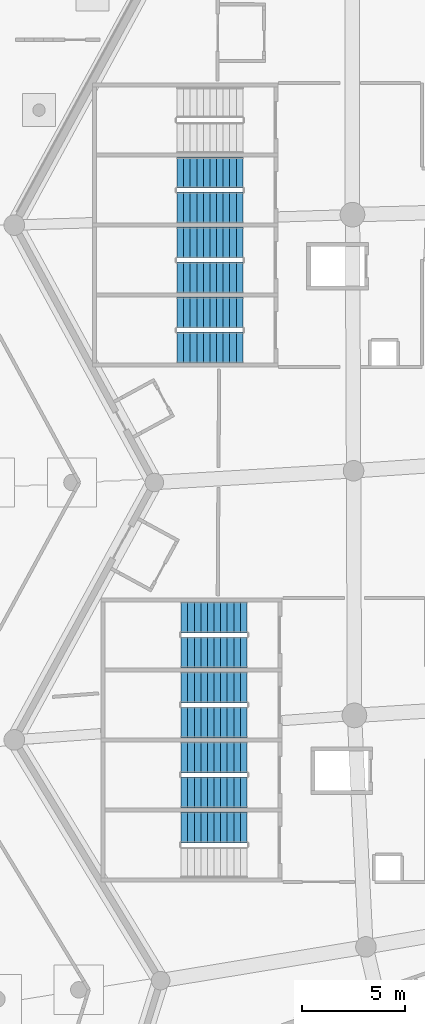
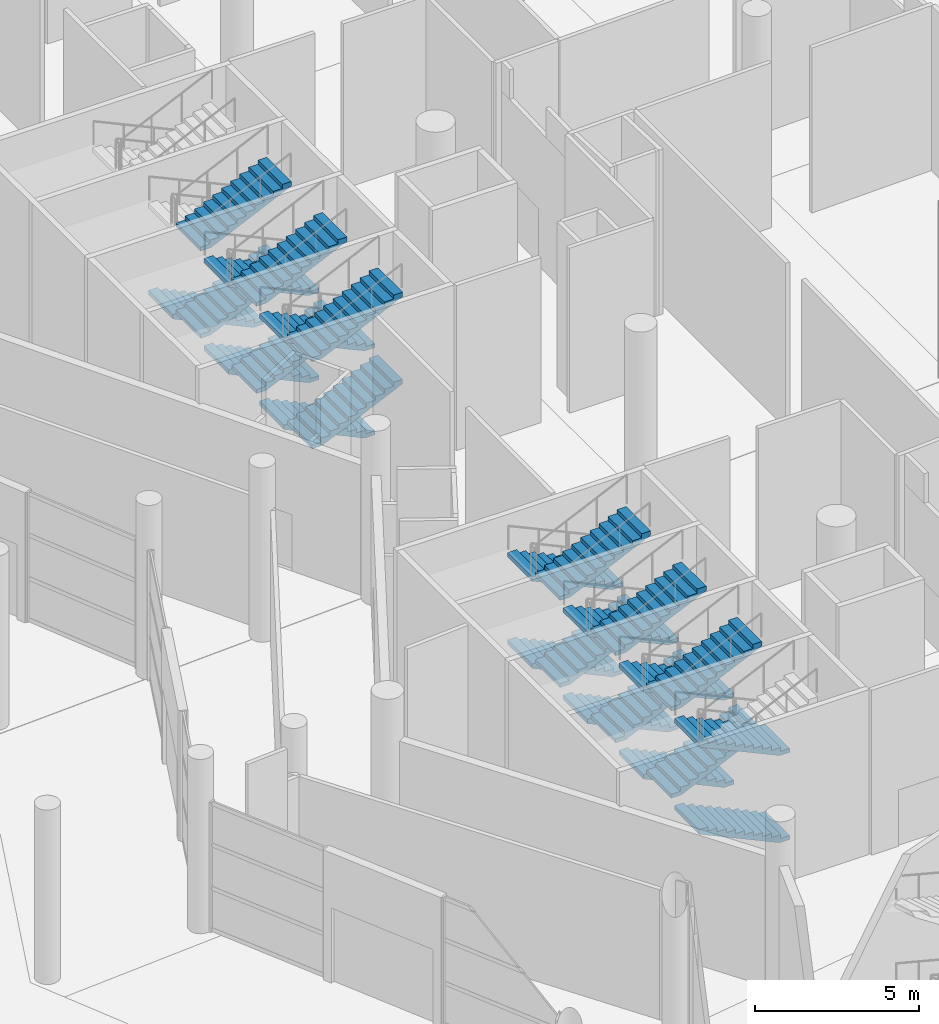
# One storey, part 163 of 255: 25 stair flights, 7 elements without a shape of their own.
"""IFC4 building model written with IfcOpenShell, lengths in metres."""

from ifc_helpers import new_model, si_unit, direction, frame, origin, place, context, subcontext, project, spatial, polyline, outline, extrude, material, type_object, element, aggregate, save


model = new_model("IFC4")

# Units and contexts
model_context = context("Model", 3, precision=1e-05, world=origin(), true_north=direction((0.0, 1.0)))
body_context = subcontext(model_context, "Body", "Model", "MODEL_VIEW")
ifc_project = project(units=[si_unit("LENGTHUNIT", "METRE"), si_unit("AREAUNIT", "SQUARE_METRE"), si_unit("VOLUMEUNIT", "CUBIC_METRE"), si_unit("PLANEANGLEUNIT", "RADIAN"), si_unit("MASSUNIT", "GRAM", prefix="KILO")], contexts=[model_context])

# Site, building, storey
site_placement = place(None, origin())
site = spatial("IfcSite", under=ifc_project, at=site_placement, CompositionType="ELEMENT")
building_placement = place(site_placement, origin())
building = spatial("IfcBuilding", under=site, at=building_placement, Name="Meseta Stadium", CompositionType="ELEMENT")
storey_placement = place(building_placement, origin())
storey = spatial("IfcBuildingStorey", under=building, at=storey_placement, Name="L00", CompositionType="ELEMENT", Elevation=0.0)

# Stair, stair flights
ifc_material_1 = material(Name="Concrete C40/50", Category="concrete")
stair_type = type_object("IfcStairType", Name="Exit stair 4 flights 148 mm risers", PredefinedType="HALF_TURN_STAIR", material=ifc_material_1)
stair_1_placement = place(storey_placement, origin())
stair_1 = element("IfcStair", 1, at=stair_1_placement, inside=storey, type_object=stair_type, Name="ST70 L00", PredefinedType="HALF_TURN_STAIR")
ifc_material_2 = material(Name="Concrete C40/50", Category="concrete")
stair_flight_type = type_object("IfcStairFlightType", Name="Exit stair flight 148 mm risers, 4 per storey", PredefinedType="STRAIGHT", material=ifc_material_2)
stair_flight_1_placement = place(storey_placement, frame((-90.300048828125, -16.199951171875, 0.0), z_axis=(0.0, 0.0, 1.0), x_axis=(-1.0, 0.0, 0.0)))
stair_flight_1 = element("IfcStairFlight", 2, at=stair_flight_1_placement, type_object=stair_flight_type, Name="ST70 L00 flight 1", NumberOfRisers=11, NumberOfTreads=10, PredefinedType="STRAIGHT", RiserHeight=0.147727273, TreadLength=0.32, context=body_context, shape_type="SweptSolid", body=[
    extrude(outline(polyline([(0.0, 0.0), (0.0, 0.147705078125), (0.320068359375, 0.147705078125), (0.320068359375, 0.29541015625), (0.639892578125, 0.29541015625), (0.639892578125, 0.443115234375), (0.9599609375, 0.443115234375), (0.9599609375, 0.5908203125), (1.280029296875, 0.5908203125), (1.280029296875, 0.738525390625), (1.60009765625, 0.738525390625), (1.60009765625, 0.886474609375), (1.919921875, 0.886474609375), (1.919921875, 1.0341796875), (2.239990234375, 1.0341796875), (2.239990234375, 1.181884765625), (2.56005859375, 1.181884765625), (2.56005859375, 1.32958984375), (2.8798828125, 1.32958984375), (2.8798828125, 1.477294921875), (3.199951171875, 1.477294921875), (3.199951171875, 1.312255859375), (0.357666015625, 0.0), (0.0, 0.0)])), frame((0.0, 0.75, 0.0), z_axis=(0.0, -1.0, 0.0), x_axis=(1.0, 0.0, 0.0)), (0.0, 0.0, 1.0), 1.5),
])
stair_flight_2_placement = place(storey_placement, frame((-93.5, -17.89990234375, 1.625), z_axis=(0.0, 0.0, 1.0), x_axis=(1.0, 0.0, 0.0)))
stair_flight_2 = element("IfcStairFlight", 3, at=stair_flight_2_placement, type_object=stair_flight_type, Name="ST70 L00 flight 2", NumberOfRisers=11, NumberOfTreads=10, PredefinedType="STRAIGHT", RiserHeight=0.147727273, TreadLength=0.32, context=body_context, shape_type="SweptSolid", body=[
    extrude(outline(polyline([(0.0, 0.0), (0.0, 0.147705078125), (0.320068359375, 0.147705078125), (0.320068359375, 0.29541015625), (0.639892578125, 0.29541015625), (0.639892578125, 0.443115234375), (0.9599609375, 0.443115234375), (0.9599609375, 0.5908203125), (1.280029296875, 0.5908203125), (1.280029296875, 0.738525390625), (1.60009765625, 0.738525390625), (1.60009765625, 0.886474609375), (1.919921875, 0.886474609375), (1.919921875, 1.0341796875), (2.239990234375, 1.0341796875), (2.239990234375, 1.181884765625), (2.56005859375, 1.181884765625), (2.56005859375, 1.32958984375), (2.8798828125, 1.32958984375), (2.8798828125, 1.477294921875), (3.199951171875, 1.477294921875), (3.199951171875, 1.312255859375), (0.357666015625, 0.0), (0.0, 0.0)])), frame((0.0, 0.75, 0.0), z_axis=(0.0, -1.0, 0.0), x_axis=(1.0, 0.0, 0.0)), (0.0, 0.0, 1.0), 1.5),
])
stair_flight_3_placement = place(storey_placement, frame((-93.5, -17.89990234375, 4.875), z_axis=(0.0, 0.0, 1.0), x_axis=(1.0, 0.0, 0.0)))
stair_flight_3 = element("IfcStairFlight", 4, at=stair_flight_3_placement, type_object=stair_flight_type, Name="ST70 L00 flight 4", NumberOfRisers=11, NumberOfTreads=10, PredefinedType="STRAIGHT", RiserHeight=0.147727273, TreadLength=0.32, context=body_context, shape_type="SweptSolid", body=[
    extrude(outline(polyline([(0.0, 0.0), (0.0, 0.147705078125), (0.320068359375, 0.147705078125), (0.320068359375, 0.29541015625), (0.639892578125, 0.29541015625), (0.639892578125, 0.443115234375), (0.9599609375, 0.443115234375), (0.9599609375, 0.5908203125), (1.280029296875, 0.5908203125), (1.280029296875, 0.738525390625), (1.60009765625, 0.738525390625), (1.60009765625, 0.886474609375), (1.919921875, 0.886474609375), (1.919921875, 1.0341796875), (2.239990234375, 1.0341796875), (2.239990234375, 1.181884765625), (2.56005859375, 1.181884765625), (2.56005859375, 1.32958984375), (2.8798828125, 1.32958984375), (2.8798828125, 1.477294921875), (3.199951171875, 1.477294921875), (3.199951171875, 1.312255859375), (0.357666015625, 0.0), (0.0, 0.0)])), frame((0.0, 0.75, 0.0), z_axis=(0.0, -1.0, 0.0), x_axis=(1.0, 0.0, 0.0)), (0.0, 0.0, 1.0), 1.5),
])
aggregate(stair_1, [stair_flight_1, stair_flight_2, stair_flight_3])

stair_2_placement = place(storey_placement, origin())
stair_2 = element("IfcStair", 5, at=stair_2_placement, inside=storey, type_object=stair_type, Name="ST71 L00", PredefinedType="HALF_TURN_STAIR")
stair_flight_4_placement = place(storey_placement, frame((-90.300048828125, -19.60009765625, 0.0), z_axis=(0.0, 0.0, 1.0), x_axis=(-1.0, 0.0, 0.0)))
stair_flight_4 = element("IfcStairFlight", 6, at=stair_flight_4_placement, type_object=stair_flight_type, Name="ST71 L00 flight 1", NumberOfRisers=11, NumberOfTreads=10, PredefinedType="STRAIGHT", RiserHeight=0.147727273, TreadLength=0.32, context=body_context, shape_type="SweptSolid", body=[
    extrude(outline(polyline([(0.0, 0.0), (0.0, 0.147705078125), (0.320068359375, 0.147705078125), (0.320068359375, 0.29541015625), (0.639892578125, 0.29541015625), (0.639892578125, 0.443115234375), (0.9599609375, 0.443115234375), (0.9599609375, 0.5908203125), (1.280029296875, 0.5908203125), (1.280029296875, 0.738525390625), (1.60009765625, 0.738525390625), (1.60009765625, 0.886474609375), (1.919921875, 0.886474609375), (1.919921875, 1.0341796875), (2.239990234375, 1.0341796875), (2.239990234375, 1.181884765625), (2.56005859375, 1.181884765625), (2.56005859375, 1.32958984375), (2.8798828125, 1.32958984375), (2.8798828125, 1.477294921875), (3.199951171875, 1.477294921875), (3.199951171875, 1.312255859375), (0.357666015625, 0.0), (0.0, 0.0)])), frame((0.0, 0.75, 0.0), z_axis=(0.0, -1.0, 0.0), x_axis=(1.0, 0.0, 0.0)), (0.0, 0.0, 1.0), 1.5),
])
stair_flight_5_placement = place(storey_placement, frame((-93.5, -21.300048828125, 1.625), z_axis=(0.0, 0.0, 1.0), x_axis=(1.0, 0.0, 0.0)))
stair_flight_5 = element("IfcStairFlight", 7, at=stair_flight_5_placement, type_object=stair_flight_type, Name="ST71 L00 flight 2", NumberOfRisers=11, NumberOfTreads=10, PredefinedType="STRAIGHT", RiserHeight=0.147727273, TreadLength=0.32, context=body_context, shape_type="SweptSolid", body=[
    extrude(outline(polyline([(0.0, 0.0), (0.0, 0.147705078125), (0.320068359375, 0.147705078125), (0.320068359375, 0.29541015625), (0.639892578125, 0.29541015625), (0.639892578125, 0.443115234375), (0.9599609375, 0.443115234375), (0.9599609375, 0.5908203125), (1.280029296875, 0.5908203125), (1.280029296875, 0.738525390625), (1.60009765625, 0.738525390625), (1.60009765625, 0.886474609375), (1.919921875, 0.886474609375), (1.919921875, 1.0341796875), (2.239990234375, 1.0341796875), (2.239990234375, 1.181884765625), (2.56005859375, 1.181884765625), (2.56005859375, 1.32958984375), (2.8798828125, 1.32958984375), (2.8798828125, 1.477294921875), (3.199951171875, 1.477294921875), (3.199951171875, 1.312255859375), (0.357666015625, 0.0), (0.0, 0.0)])), frame((0.0, 0.75, 0.0), z_axis=(0.0, -1.0, 0.0), x_axis=(1.0, 0.0, 0.0)), (0.0, 0.0, 1.0), 1.5),
])
stair_flight_6_placement = place(storey_placement, frame((-90.300048828125, -19.60009765625, 3.25), z_axis=(0.0, 0.0, 1.0), x_axis=(-1.0, 0.0, 0.0)))
stair_flight_6 = element("IfcStairFlight", 8, at=stair_flight_6_placement, type_object=stair_flight_type, Name="ST71 L00 flight 3", NumberOfRisers=11, NumberOfTreads=10, PredefinedType="STRAIGHT", RiserHeight=0.147727273, TreadLength=0.32, context=body_context, shape_type="SweptSolid", body=[
    extrude(outline(polyline([(0.0, 0.0), (0.0, 0.147705078125), (0.320068359375, 0.147705078125), (0.320068359375, 0.29541015625), (0.639892578125, 0.29541015625), (0.639892578125, 0.443115234375), (0.9599609375, 0.443115234375), (0.9599609375, 0.5908203125), (1.280029296875, 0.5908203125), (1.280029296875, 0.738525390625), (1.60009765625, 0.738525390625), (1.60009765625, 0.886474609375), (1.919921875, 0.886474609375), (1.919921875, 1.0341796875), (2.239990234375, 1.0341796875), (2.239990234375, 1.181884765625), (2.56005859375, 1.181884765625), (2.56005859375, 1.32958984375), (2.8798828125, 1.32958984375), (2.8798828125, 1.477294921875), (3.199951171875, 1.477294921875), (3.199951171875, 1.312255859375), (0.357666015625, 0.0), (0.0, 0.0)])), frame((0.0, 0.75, 0.0), z_axis=(0.0, -1.0, 0.0), x_axis=(1.0, 0.0, 0.0)), (0.0, 0.0, 1.0), 1.5),
])
stair_flight_7_placement = place(storey_placement, frame((-93.5, -21.300048828125, 4.875), z_axis=(0.0, 0.0, 1.0), x_axis=(1.0, 0.0, 0.0)))
stair_flight_7 = element("IfcStairFlight", 9, at=stair_flight_7_placement, type_object=stair_flight_type, Name="ST71 L00 flight 4", NumberOfRisers=11, NumberOfTreads=10, PredefinedType="STRAIGHT", RiserHeight=0.147727273, TreadLength=0.32, context=body_context, shape_type="SweptSolid", body=[
    extrude(outline(polyline([(0.0, 0.0), (0.0, 0.147705078125), (0.320068359375, 0.147705078125), (0.320068359375, 0.29541015625), (0.639892578125, 0.29541015625), (0.639892578125, 0.443115234375), (0.9599609375, 0.443115234375), (0.9599609375, 0.5908203125), (1.280029296875, 0.5908203125), (1.280029296875, 0.738525390625), (1.60009765625, 0.738525390625), (1.60009765625, 0.886474609375), (1.919921875, 0.886474609375), (1.919921875, 1.0341796875), (2.239990234375, 1.0341796875), (2.239990234375, 1.181884765625), (2.56005859375, 1.181884765625), (2.56005859375, 1.32958984375), (2.8798828125, 1.32958984375), (2.8798828125, 1.477294921875), (3.199951171875, 1.477294921875), (3.199951171875, 1.312255859375), (0.357666015625, 0.0), (0.0, 0.0)])), frame((0.0, 0.75, 0.0), z_axis=(0.0, -1.0, 0.0), x_axis=(1.0, 0.0, 0.0)), (0.0, 0.0, 1.0), 1.5),
])
aggregate(stair_2, [stair_flight_4, stair_flight_5, stair_flight_6, stair_flight_7])

stair_3_placement = place(storey_placement, origin())
stair_3 = element("IfcStair", 10, at=stair_3_placement, inside=storey, type_object=stair_type, Name="ST72 L00", PredefinedType="HALF_TURN_STAIR")
stair_flight_8_placement = place(storey_placement, frame((-90.300048828125, -23.0, 0.0), z_axis=(0.0, 0.0, 1.0), x_axis=(-1.0, 0.0, 0.0)))
stair_flight_8 = element("IfcStairFlight", 11, at=stair_flight_8_placement, type_object=stair_flight_type, Name="ST72 L00 flight 1", NumberOfRisers=11, NumberOfTreads=10, PredefinedType="STRAIGHT", RiserHeight=0.147727273, TreadLength=0.32, context=body_context, shape_type="SweptSolid", body=[
    extrude(outline(polyline([(0.0, 0.0), (0.0, 0.147705078125), (0.320068359375, 0.147705078125), (0.320068359375, 0.29541015625), (0.639892578125, 0.29541015625), (0.639892578125, 0.443115234375), (0.9599609375, 0.443115234375), (0.9599609375, 0.5908203125), (1.280029296875, 0.5908203125), (1.280029296875, 0.738525390625), (1.60009765625, 0.738525390625), (1.60009765625, 0.886474609375), (1.919921875, 0.886474609375), (1.919921875, 1.0341796875), (2.239990234375, 1.0341796875), (2.239990234375, 1.181884765625), (2.56005859375, 1.181884765625), (2.56005859375, 1.32958984375), (2.8798828125, 1.32958984375), (2.8798828125, 1.477294921875), (3.199951171875, 1.477294921875), (3.199951171875, 1.312255859375), (0.357666015625, 0.0), (0.0, 0.0)])), frame((0.0, 0.75, 0.0), z_axis=(0.0, -1.0, 0.0), x_axis=(1.0, 0.0, 0.0)), (0.0, 0.0, 1.0), 1.5),
])
stair_flight_9_placement = place(storey_placement, frame((-93.5, -24.699951171875, 1.625), z_axis=(0.0, 0.0, 1.0), x_axis=(1.0, 0.0, 0.0)))
stair_flight_9 = element("IfcStairFlight", 12, at=stair_flight_9_placement, type_object=stair_flight_type, Name="ST72 L00 flight 2", NumberOfRisers=11, NumberOfTreads=10, PredefinedType="STRAIGHT", RiserHeight=0.147727273, TreadLength=0.32, context=body_context, shape_type="SweptSolid", body=[
    extrude(outline(polyline([(0.0, 0.0), (0.0, 0.147705078125), (0.320068359375, 0.147705078125), (0.320068359375, 0.29541015625), (0.639892578125, 0.29541015625), (0.639892578125, 0.443115234375), (0.9599609375, 0.443115234375), (0.9599609375, 0.5908203125), (1.280029296875, 0.5908203125), (1.280029296875, 0.738525390625), (1.60009765625, 0.738525390625), (1.60009765625, 0.886474609375), (1.919921875, 0.886474609375), (1.919921875, 1.0341796875), (2.239990234375, 1.0341796875), (2.239990234375, 1.181884765625), (2.56005859375, 1.181884765625), (2.56005859375, 1.32958984375), (2.8798828125, 1.32958984375), (2.8798828125, 1.477294921875), (3.199951171875, 1.477294921875), (3.199951171875, 1.312255859375), (0.357666015625, 0.0), (0.0, 0.0)])), frame((0.0, 0.75, 0.0), z_axis=(0.0, -1.0, 0.0), x_axis=(1.0, 0.0, 0.0)), (0.0, 0.0, 1.0), 1.5),
])
stair_flight_10_placement = place(storey_placement, frame((-90.300048828125, -23.0, 3.25), z_axis=(0.0, 0.0, 1.0), x_axis=(-1.0, 0.0, 0.0)))
stair_flight_10 = element("IfcStairFlight", 13, at=stair_flight_10_placement, type_object=stair_flight_type, Name="ST72 L00 flight 3", NumberOfRisers=11, NumberOfTreads=10, PredefinedType="STRAIGHT", RiserHeight=0.147727273, TreadLength=0.32, context=body_context, shape_type="SweptSolid", body=[
    extrude(outline(polyline([(0.0, 0.0), (0.0, 0.147705078125), (0.320068359375, 0.147705078125), (0.320068359375, 0.29541015625), (0.639892578125, 0.29541015625), (0.639892578125, 0.443115234375), (0.9599609375, 0.443115234375), (0.9599609375, 0.5908203125), (1.280029296875, 0.5908203125), (1.280029296875, 0.738525390625), (1.60009765625, 0.738525390625), (1.60009765625, 0.886474609375), (1.919921875, 0.886474609375), (1.919921875, 1.0341796875), (2.239990234375, 1.0341796875), (2.239990234375, 1.181884765625), (2.56005859375, 1.181884765625), (2.56005859375, 1.32958984375), (2.8798828125, 1.32958984375), (2.8798828125, 1.477294921875), (3.199951171875, 1.477294921875), (3.199951171875, 1.312255859375), (0.357666015625, 0.0), (0.0, 0.0)])), frame((0.0, 0.75, 0.0), z_axis=(0.0, -1.0, 0.0), x_axis=(1.0, 0.0, 0.0)), (0.0, 0.0, 1.0), 1.5),
])
stair_flight_11_placement = place(storey_placement, frame((-93.5, -24.699951171875, 4.875), z_axis=(0.0, 0.0, 1.0), x_axis=(1.0, 0.0, 0.0)))
stair_flight_11 = element("IfcStairFlight", 14, at=stair_flight_11_placement, type_object=stair_flight_type, Name="ST72 L00 flight 4", NumberOfRisers=11, NumberOfTreads=10, PredefinedType="STRAIGHT", RiserHeight=0.147727273, TreadLength=0.32, context=body_context, shape_type="SweptSolid", body=[
    extrude(outline(polyline([(0.0, 0.0), (0.0, 0.147705078125), (0.320068359375, 0.147705078125), (0.320068359375, 0.29541015625), (0.639892578125, 0.29541015625), (0.639892578125, 0.443115234375), (0.9599609375, 0.443115234375), (0.9599609375, 0.5908203125), (1.280029296875, 0.5908203125), (1.280029296875, 0.738525390625), (1.60009765625, 0.738525390625), (1.60009765625, 0.886474609375), (1.919921875, 0.886474609375), (1.919921875, 1.0341796875), (2.239990234375, 1.0341796875), (2.239990234375, 1.181884765625), (2.56005859375, 1.181884765625), (2.56005859375, 1.32958984375), (2.8798828125, 1.32958984375), (2.8798828125, 1.477294921875), (3.199951171875, 1.477294921875), (3.199951171875, 1.312255859375), (0.357666015625, 0.0), (0.0, 0.0)])), frame((0.0, 0.75, 0.0), z_axis=(0.0, -1.0, 0.0), x_axis=(1.0, 0.0, 0.0)), (0.0, 0.0, 1.0), 1.5),
])
aggregate(stair_3, [stair_flight_8, stair_flight_9, stair_flight_10, stair_flight_11])

stair_4_placement = place(storey_placement, origin())
stair_4 = element("IfcStair", 15, at=stair_4_placement, inside=storey, type_object=stair_type, Name="ST73 L00", PredefinedType="HALF_TURN_STAIR")
stair_flight_12_placement = place(storey_placement, frame((-90.10009765625, -37.800048828125, 0.0), z_axis=(0.0, 0.0, 1.0), x_axis=(-1.0, 0.0, 0.0)))
stair_flight_12 = element("IfcStairFlight", 16, at=stair_flight_12_placement, type_object=stair_flight_type, Name="ST73 L00 flight 1", NumberOfRisers=11, NumberOfTreads=10, PredefinedType="STRAIGHT", RiserHeight=0.147727273, TreadLength=0.32, context=body_context, shape_type="SweptSolid", body=[
    extrude(outline(polyline([(0.0, 0.0), (0.0, 0.147705078125), (0.320068359375, 0.147705078125), (0.320068359375, 0.29541015625), (0.639892578125, 0.29541015625), (0.639892578125, 0.443115234375), (0.9599609375, 0.443115234375), (0.9599609375, 0.5908203125), (1.280029296875, 0.5908203125), (1.280029296875, 0.738525390625), (1.60009765625, 0.738525390625), (1.60009765625, 0.886474609375), (1.919921875, 0.886474609375), (1.919921875, 1.0341796875), (2.239990234375, 1.0341796875), (2.239990234375, 1.181884765625), (2.56005859375, 1.181884765625), (2.56005859375, 1.32958984375), (2.8798828125, 1.32958984375), (2.8798828125, 1.477294921875), (3.199951171875, 1.477294921875), (3.199951171875, 1.312255859375), (0.357666015625, 0.0), (0.0, 0.0)])), frame((0.0, 0.75, 0.0), z_axis=(0.0, -1.0, 0.0), x_axis=(1.0, 0.0, 0.0)), (0.0, 0.0, 1.0), 1.5),
])
stair_flight_13_placement = place(storey_placement, frame((-93.300048828125, -39.5, 1.625), z_axis=(0.0, 0.0, 1.0), x_axis=(1.0, 0.0, 0.0)))
stair_flight_13 = element("IfcStairFlight", 17, at=stair_flight_13_placement, type_object=stair_flight_type, Name="ST73 L00 flight 2", NumberOfRisers=11, NumberOfTreads=10, PredefinedType="STRAIGHT", RiserHeight=0.147727273, TreadLength=0.32, context=body_context, shape_type="SweptSolid", body=[
    extrude(outline(polyline([(0.0, 0.0), (0.0, 0.147705078125), (0.320068359375, 0.147705078125), (0.320068359375, 0.29541015625), (0.639892578125, 0.29541015625), (0.639892578125, 0.443115234375), (0.9599609375, 0.443115234375), (0.9599609375, 0.5908203125), (1.280029296875, 0.5908203125), (1.280029296875, 0.738525390625), (1.60009765625, 0.738525390625), (1.60009765625, 0.886474609375), (1.919921875, 0.886474609375), (1.919921875, 1.0341796875), (2.239990234375, 1.0341796875), (2.239990234375, 1.181884765625), (2.56005859375, 1.181884765625), (2.56005859375, 1.32958984375), (2.8798828125, 1.32958984375), (2.8798828125, 1.477294921875), (3.199951171875, 1.477294921875), (3.199951171875, 1.312255859375), (0.357666015625, 0.0), (0.0, 0.0)])), frame((0.0, 0.75, 0.0), z_axis=(0.0, -1.0, 0.0), x_axis=(1.0, 0.0, 0.0)), (0.0, 0.0, 1.0), 1.5),
])
stair_flight_14_placement = place(storey_placement, frame((-90.10009765625, -37.800048828125, 3.25), z_axis=(0.0, 0.0, 1.0), x_axis=(-1.0, 0.0, 0.0)))
stair_flight_14 = element("IfcStairFlight", 18, at=stair_flight_14_placement, type_object=stair_flight_type, Name="ST73 L00 flight 3", NumberOfRisers=11, NumberOfTreads=10, PredefinedType="STRAIGHT", RiserHeight=0.147727273, TreadLength=0.32, context=body_context, shape_type="SweptSolid", body=[
    extrude(outline(polyline([(0.0, 0.0), (0.0, 0.147705078125), (0.320068359375, 0.147705078125), (0.320068359375, 0.29541015625), (0.639892578125, 0.29541015625), (0.639892578125, 0.443115234375), (0.9599609375, 0.443115234375), (0.9599609375, 0.5908203125), (1.280029296875, 0.5908203125), (1.280029296875, 0.738525390625), (1.60009765625, 0.738525390625), (1.60009765625, 0.886474609375), (1.919921875, 0.886474609375), (1.919921875, 1.0341796875), (2.239990234375, 1.0341796875), (2.239990234375, 1.181884765625), (2.56005859375, 1.181884765625), (2.56005859375, 1.32958984375), (2.8798828125, 1.32958984375), (2.8798828125, 1.477294921875), (3.199951171875, 1.477294921875), (3.199951171875, 1.312255859375), (0.357666015625, 0.0), (0.0, 0.0)])), frame((0.0, 0.75, 0.0), z_axis=(0.0, -1.0, 0.0), x_axis=(1.0, 0.0, 0.0)), (0.0, 0.0, 1.0), 1.5),
])
stair_flight_15_placement = place(storey_placement, frame((-93.300048828125, -39.5, 4.875), z_axis=(0.0, 0.0, 1.0), x_axis=(1.0, 0.0, 0.0)))
stair_flight_15 = element("IfcStairFlight", 19, at=stair_flight_15_placement, type_object=stair_flight_type, Name="ST73 L00 flight 4", NumberOfRisers=11, NumberOfTreads=10, PredefinedType="STRAIGHT", RiserHeight=0.147727273, TreadLength=0.32, context=body_context, shape_type="SweptSolid", body=[
    extrude(outline(polyline([(0.0, 0.0), (0.0, 0.147705078125), (0.320068359375, 0.147705078125), (0.320068359375, 0.29541015625), (0.639892578125, 0.29541015625), (0.639892578125, 0.443115234375), (0.9599609375, 0.443115234375), (0.9599609375, 0.5908203125), (1.280029296875, 0.5908203125), (1.280029296875, 0.738525390625), (1.60009765625, 0.738525390625), (1.60009765625, 0.886474609375), (1.919921875, 0.886474609375), (1.919921875, 1.0341796875), (2.239990234375, 1.0341796875), (2.239990234375, 1.181884765625), (2.56005859375, 1.181884765625), (2.56005859375, 1.32958984375), (2.8798828125, 1.32958984375), (2.8798828125, 1.477294921875), (3.199951171875, 1.477294921875), (3.199951171875, 1.312255859375), (0.357666015625, 0.0), (0.0, 0.0)])), frame((0.0, 0.75, 0.0), z_axis=(0.0, -1.0, 0.0), x_axis=(1.0, 0.0, 0.0)), (0.0, 0.0, 1.0), 1.5),
])
aggregate(stair_4, [stair_flight_12, stair_flight_13, stair_flight_14, stair_flight_15])

stair_5_placement = place(storey_placement, origin())
stair_5 = element("IfcStair", 20, at=stair_5_placement, inside=storey, type_object=stair_type, Name="ST74 L00", PredefinedType="HALF_TURN_STAIR")
stair_flight_16_placement = place(storey_placement, frame((-90.10009765625, -41.199951171875, 0.0), z_axis=(0.0, 0.0, 1.0), x_axis=(-1.0, 0.0, 0.0)))
stair_flight_16 = element("IfcStairFlight", 21, at=stair_flight_16_placement, type_object=stair_flight_type, Name="ST74 L00 flight 1", NumberOfRisers=11, NumberOfTreads=10, PredefinedType="STRAIGHT", RiserHeight=0.147727273, TreadLength=0.32, context=body_context, shape_type="SweptSolid", body=[
    extrude(outline(polyline([(0.0, 0.0), (0.0, 0.147705078125), (0.320068359375, 0.147705078125), (0.320068359375, 0.29541015625), (0.639892578125, 0.29541015625), (0.639892578125, 0.443115234375), (0.9599609375, 0.443115234375), (0.9599609375, 0.5908203125), (1.280029296875, 0.5908203125), (1.280029296875, 0.738525390625), (1.60009765625, 0.738525390625), (1.60009765625, 0.886474609375), (1.919921875, 0.886474609375), (1.919921875, 1.0341796875), (2.239990234375, 1.0341796875), (2.239990234375, 1.181884765625), (2.56005859375, 1.181884765625), (2.56005859375, 1.32958984375), (2.8798828125, 1.32958984375), (2.8798828125, 1.477294921875), (3.199951171875, 1.477294921875), (3.199951171875, 1.312255859375), (0.357666015625, 0.0), (0.0, 0.0)])), frame((0.0, 0.75, 0.0), z_axis=(0.0, -1.0, 0.0), x_axis=(1.0, 0.0, 0.0)), (0.0, 0.0, 1.0), 1.5),
])
stair_flight_17_placement = place(storey_placement, frame((-93.300048828125, -42.89990234375, 1.625), z_axis=(0.0, 0.0, 1.0), x_axis=(1.0, 0.0, 0.0)))
stair_flight_17 = element("IfcStairFlight", 22, at=stair_flight_17_placement, type_object=stair_flight_type, Name="ST74 L00 flight 2", NumberOfRisers=11, NumberOfTreads=10, PredefinedType="STRAIGHT", RiserHeight=0.147727273, TreadLength=0.32, context=body_context, shape_type="SweptSolid", body=[
    extrude(outline(polyline([(0.0, 0.0), (0.0, 0.147705078125), (0.320068359375, 0.147705078125), (0.320068359375, 0.29541015625), (0.639892578125, 0.29541015625), (0.639892578125, 0.443115234375), (0.9599609375, 0.443115234375), (0.9599609375, 0.5908203125), (1.280029296875, 0.5908203125), (1.280029296875, 0.738525390625), (1.60009765625, 0.738525390625), (1.60009765625, 0.886474609375), (1.919921875, 0.886474609375), (1.919921875, 1.0341796875), (2.239990234375, 1.0341796875), (2.239990234375, 1.181884765625), (2.56005859375, 1.181884765625), (2.56005859375, 1.32958984375), (2.8798828125, 1.32958984375), (2.8798828125, 1.477294921875), (3.199951171875, 1.477294921875), (3.199951171875, 1.312255859375), (0.357666015625, 0.0), (0.0, 0.0)])), frame((0.0, 0.75, 0.0), z_axis=(0.0, -1.0, 0.0), x_axis=(1.0, 0.0, 0.0)), (0.0, 0.0, 1.0), 1.5),
])
stair_flight_18_placement = place(storey_placement, frame((-90.10009765625, -41.199951171875, 3.25), z_axis=(0.0, 0.0, 1.0), x_axis=(-1.0, 0.0, 0.0)))
stair_flight_18 = element("IfcStairFlight", 23, at=stair_flight_18_placement, type_object=stair_flight_type, Name="ST74 L00 flight 3", NumberOfRisers=11, NumberOfTreads=10, PredefinedType="STRAIGHT", RiserHeight=0.147727273, TreadLength=0.32, context=body_context, shape_type="SweptSolid", body=[
    extrude(outline(polyline([(0.0, 0.0), (0.0, 0.147705078125), (0.320068359375, 0.147705078125), (0.320068359375, 0.29541015625), (0.639892578125, 0.29541015625), (0.639892578125, 0.443115234375), (0.9599609375, 0.443115234375), (0.9599609375, 0.5908203125), (1.280029296875, 0.5908203125), (1.280029296875, 0.738525390625), (1.60009765625, 0.738525390625), (1.60009765625, 0.886474609375), (1.919921875, 0.886474609375), (1.919921875, 1.0341796875), (2.239990234375, 1.0341796875), (2.239990234375, 1.181884765625), (2.56005859375, 1.181884765625), (2.56005859375, 1.32958984375), (2.8798828125, 1.32958984375), (2.8798828125, 1.477294921875), (3.199951171875, 1.477294921875), (3.199951171875, 1.312255859375), (0.357666015625, 0.0), (0.0, 0.0)])), frame((0.0, 0.75, 0.0), z_axis=(0.0, -1.0, 0.0), x_axis=(1.0, 0.0, 0.0)), (0.0, 0.0, 1.0), 1.5),
])
stair_flight_19_placement = place(storey_placement, frame((-93.300048828125, -42.89990234375, 4.875), z_axis=(0.0, 0.0, 1.0), x_axis=(1.0, 0.0, 0.0)))
stair_flight_19 = element("IfcStairFlight", 24, at=stair_flight_19_placement, type_object=stair_flight_type, Name="ST74 L00 flight 4", NumberOfRisers=11, NumberOfTreads=10, PredefinedType="STRAIGHT", RiserHeight=0.147727273, TreadLength=0.32, context=body_context, shape_type="SweptSolid", body=[
    extrude(outline(polyline([(0.0, 0.0), (0.0, 0.147705078125), (0.320068359375, 0.147705078125), (0.320068359375, 0.29541015625), (0.639892578125, 0.29541015625), (0.639892578125, 0.443115234375), (0.9599609375, 0.443115234375), (0.9599609375, 0.5908203125), (1.280029296875, 0.5908203125), (1.280029296875, 0.738525390625), (1.60009765625, 0.738525390625), (1.60009765625, 0.886474609375), (1.919921875, 0.886474609375), (1.919921875, 1.0341796875), (2.239990234375, 1.0341796875), (2.239990234375, 1.181884765625), (2.56005859375, 1.181884765625), (2.56005859375, 1.32958984375), (2.8798828125, 1.32958984375), (2.8798828125, 1.477294921875), (3.199951171875, 1.477294921875), (3.199951171875, 1.312255859375), (0.357666015625, 0.0), (0.0, 0.0)])), frame((0.0, 0.75, 0.0), z_axis=(0.0, -1.0, 0.0), x_axis=(1.0, 0.0, 0.0)), (0.0, 0.0, 1.0), 1.5),
])
aggregate(stair_5, [stair_flight_16, stair_flight_17, stair_flight_18, stair_flight_19])

stair_6_placement = place(storey_placement, origin())
stair_6 = element("IfcStair", 25, at=stair_6_placement, inside=storey, type_object=stair_type, Name="ST75 L00", PredefinedType="HALF_TURN_STAIR")
stair_flight_20_placement = place(storey_placement, frame((-90.10009765625, -44.60009765625, 0.0), z_axis=(0.0, 0.0, 1.0), x_axis=(-1.0, 0.0, 0.0)))
stair_flight_20 = element("IfcStairFlight", 26, at=stair_flight_20_placement, type_object=stair_flight_type, Name="ST75 L00 flight 1", NumberOfRisers=11, NumberOfTreads=10, PredefinedType="STRAIGHT", RiserHeight=0.147727273, TreadLength=0.32, context=body_context, shape_type="SweptSolid", body=[
    extrude(outline(polyline([(0.0, 0.0), (0.0, 0.147705078125), (0.320068359375, 0.147705078125), (0.320068359375, 0.29541015625), (0.639892578125, 0.29541015625), (0.639892578125, 0.443115234375), (0.9599609375, 0.443115234375), (0.9599609375, 0.5908203125), (1.280029296875, 0.5908203125), (1.280029296875, 0.738525390625), (1.60009765625, 0.738525390625), (1.60009765625, 0.886474609375), (1.919921875, 0.886474609375), (1.919921875, 1.0341796875), (2.239990234375, 1.0341796875), (2.239990234375, 1.181884765625), (2.56005859375, 1.181884765625), (2.56005859375, 1.32958984375), (2.8798828125, 1.32958984375), (2.8798828125, 1.477294921875), (3.199951171875, 1.477294921875), (3.199951171875, 1.312255859375), (0.357666015625, 0.0), (0.0, 0.0)])), frame((0.0, 0.75, 0.0), z_axis=(0.0, -1.0, 0.0), x_axis=(1.0, 0.0, 0.0)), (0.0, 0.0, 1.0), 1.5),
])
stair_flight_21_placement = place(storey_placement, frame((-93.300048828125, -46.300048828125, 1.625), z_axis=(0.0, 0.0, 1.0), x_axis=(1.0, 0.0, 0.0)))
stair_flight_21 = element("IfcStairFlight", 27, at=stair_flight_21_placement, type_object=stair_flight_type, Name="ST75 L00 flight 2", NumberOfRisers=11, NumberOfTreads=10, PredefinedType="STRAIGHT", RiserHeight=0.147727273, TreadLength=0.32, context=body_context, shape_type="SweptSolid", body=[
    extrude(outline(polyline([(0.0, 0.0), (0.0, 0.147705078125), (0.320068359375, 0.147705078125), (0.320068359375, 0.29541015625), (0.639892578125, 0.29541015625), (0.639892578125, 0.443115234375), (0.9599609375, 0.443115234375), (0.9599609375, 0.5908203125), (1.280029296875, 0.5908203125), (1.280029296875, 0.738525390625), (1.60009765625, 0.738525390625), (1.60009765625, 0.886474609375), (1.919921875, 0.886474609375), (1.919921875, 1.0341796875), (2.239990234375, 1.0341796875), (2.239990234375, 1.181884765625), (2.56005859375, 1.181884765625), (2.56005859375, 1.32958984375), (2.8798828125, 1.32958984375), (2.8798828125, 1.477294921875), (3.199951171875, 1.477294921875), (3.199951171875, 1.312255859375), (0.357666015625, 0.0), (0.0, 0.0)])), frame((0.0, 0.75, 0.0), z_axis=(0.0, -1.0, 0.0), x_axis=(1.0, 0.0, 0.0)), (0.0, 0.0, 1.0), 1.5),
])
stair_flight_22_placement = place(storey_placement, frame((-90.10009765625, -44.60009765625, 3.25), z_axis=(0.0, 0.0, 1.0), x_axis=(-1.0, 0.0, 0.0)))
stair_flight_22 = element("IfcStairFlight", 28, at=stair_flight_22_placement, type_object=stair_flight_type, Name="ST75 L00 flight 3", NumberOfRisers=11, NumberOfTreads=10, PredefinedType="STRAIGHT", RiserHeight=0.147727273, TreadLength=0.32, context=body_context, shape_type="SweptSolid", body=[
    extrude(outline(polyline([(0.0, 0.0), (0.0, 0.147705078125), (0.320068359375, 0.147705078125), (0.320068359375, 0.29541015625), (0.639892578125, 0.29541015625), (0.639892578125, 0.443115234375), (0.9599609375, 0.443115234375), (0.9599609375, 0.5908203125), (1.280029296875, 0.5908203125), (1.280029296875, 0.738525390625), (1.60009765625, 0.738525390625), (1.60009765625, 0.886474609375), (1.919921875, 0.886474609375), (1.919921875, 1.0341796875), (2.239990234375, 1.0341796875), (2.239990234375, 1.181884765625), (2.56005859375, 1.181884765625), (2.56005859375, 1.32958984375), (2.8798828125, 1.32958984375), (2.8798828125, 1.477294921875), (3.199951171875, 1.477294921875), (3.199951171875, 1.312255859375), (0.357666015625, 0.0), (0.0, 0.0)])), frame((0.0, 0.75, 0.0), z_axis=(0.0, -1.0, 0.0), x_axis=(1.0, 0.0, 0.0)), (0.0, 0.0, 1.0), 1.5),
])
stair_flight_23_placement = place(storey_placement, frame((-93.300048828125, -46.300048828125, 4.875), z_axis=(0.0, 0.0, 1.0), x_axis=(1.0, 0.0, 0.0)))
stair_flight_23 = element("IfcStairFlight", 29, at=stair_flight_23_placement, type_object=stair_flight_type, Name="ST75 L00 flight 4", NumberOfRisers=11, NumberOfTreads=10, PredefinedType="STRAIGHT", RiserHeight=0.147727273, TreadLength=0.32, context=body_context, shape_type="SweptSolid", body=[
    extrude(outline(polyline([(0.0, 0.0), (0.0, 0.147705078125), (0.320068359375, 0.147705078125), (0.320068359375, 0.29541015625), (0.639892578125, 0.29541015625), (0.639892578125, 0.443115234375), (0.9599609375, 0.443115234375), (0.9599609375, 0.5908203125), (1.280029296875, 0.5908203125), (1.280029296875, 0.738525390625), (1.60009765625, 0.738525390625), (1.60009765625, 0.886474609375), (1.919921875, 0.886474609375), (1.919921875, 1.0341796875), (2.239990234375, 1.0341796875), (2.239990234375, 1.181884765625), (2.56005859375, 1.181884765625), (2.56005859375, 1.32958984375), (2.8798828125, 1.32958984375), (2.8798828125, 1.477294921875), (3.199951171875, 1.477294921875), (3.199951171875, 1.312255859375), (0.357666015625, 0.0), (0.0, 0.0)])), frame((0.0, 0.75, 0.0), z_axis=(0.0, -1.0, 0.0), x_axis=(1.0, 0.0, 0.0)), (0.0, 0.0, 1.0), 1.5),
])
aggregate(stair_6, [stair_flight_20, stair_flight_21, stair_flight_22, stair_flight_23])

stair_7_placement = place(storey_placement, origin())
stair_7 = element("IfcStair", 30, at=stair_7_placement, inside=storey, type_object=stair_type, Name="ST76 L00", PredefinedType="HALF_TURN_STAIR")
stair_flight_24_placement = place(storey_placement, frame((-90.10009765625, -48.0, 0.0), z_axis=(0.0, 0.0, 1.0), x_axis=(-1.0, 0.0, 0.0)))
stair_flight_24 = element("IfcStairFlight", 31, at=stair_flight_24_placement, type_object=stair_flight_type, Name="ST76 L00 flight 1", NumberOfRisers=11, NumberOfTreads=10, PredefinedType="STRAIGHT", RiserHeight=0.147727273, TreadLength=0.32, context=body_context, shape_type="SweptSolid", body=[
    extrude(outline(polyline([(0.0, 0.0), (0.0, 0.147705078125), (0.320068359375, 0.147705078125), (0.320068359375, 0.29541015625), (0.639892578125, 0.29541015625), (0.639892578125, 0.443115234375), (0.9599609375, 0.443115234375), (0.9599609375, 0.5908203125), (1.280029296875, 0.5908203125), (1.280029296875, 0.738525390625), (1.60009765625, 0.738525390625), (1.60009765625, 0.886474609375), (1.919921875, 0.886474609375), (1.919921875, 1.0341796875), (2.239990234375, 1.0341796875), (2.239990234375, 1.181884765625), (2.56005859375, 1.181884765625), (2.56005859375, 1.32958984375), (2.8798828125, 1.32958984375), (2.8798828125, 1.477294921875), (3.199951171875, 1.477294921875), (3.199951171875, 1.312255859375), (0.357666015625, 0.0), (0.0, 0.0)])), frame((0.0, 0.75, 0.0), z_axis=(0.0, -1.0, 0.0), x_axis=(1.0, 0.0, 0.0)), (0.0, 0.0, 1.0), 1.5),
])
stair_flight_25_placement = place(storey_placement, frame((-90.10009765625, -48.0, 3.25), z_axis=(0.0, 0.0, 1.0), x_axis=(-1.0, 0.0, 0.0)))
stair_flight_25 = element("IfcStairFlight", 32, at=stair_flight_25_placement, type_object=stair_flight_type, Name="ST76 L00 flight 3", NumberOfRisers=11, NumberOfTreads=10, PredefinedType="STRAIGHT", RiserHeight=0.147727273, TreadLength=0.32, context=body_context, shape_type="SweptSolid", body=[
    extrude(outline(polyline([(0.0, 0.0), (0.0, 0.147705078125), (0.320068359375, 0.147705078125), (0.320068359375, 0.29541015625), (0.639892578125, 0.29541015625), (0.639892578125, 0.443115234375), (0.9599609375, 0.443115234375), (0.9599609375, 0.5908203125), (1.280029296875, 0.5908203125), (1.280029296875, 0.738525390625), (1.60009765625, 0.738525390625), (1.60009765625, 0.886474609375), (1.919921875, 0.886474609375), (1.919921875, 1.0341796875), (2.239990234375, 1.0341796875), (2.239990234375, 1.181884765625), (2.56005859375, 1.181884765625), (2.56005859375, 1.32958984375), (2.8798828125, 1.32958984375), (2.8798828125, 1.477294921875), (3.199951171875, 1.477294921875), (3.199951171875, 1.312255859375), (0.357666015625, 0.0), (0.0, 0.0)])), frame((0.0, 0.75, 0.0), z_axis=(0.0, -1.0, 0.0), x_axis=(1.0, 0.0, 0.0)), (0.0, 0.0, 1.0), 1.5),
])
aggregate(stair_7, [stair_flight_24, stair_flight_25])

save(model, "model.ifc")
